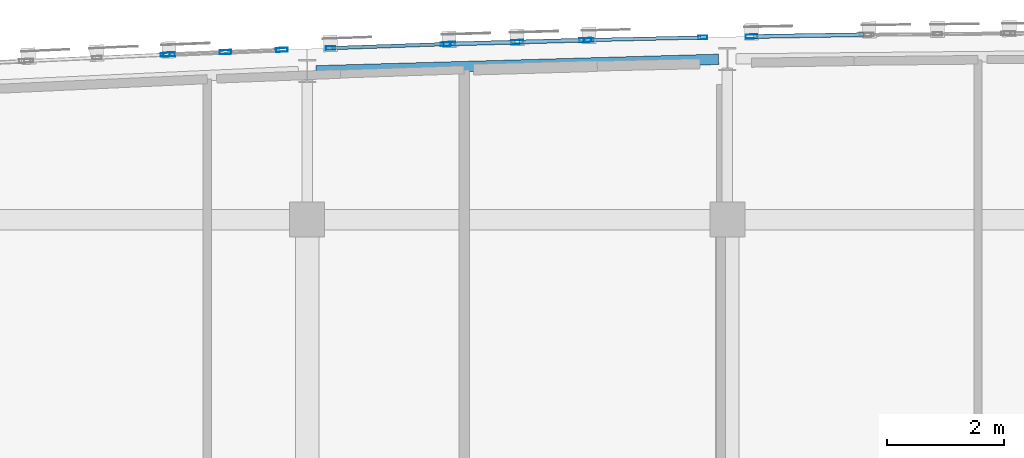
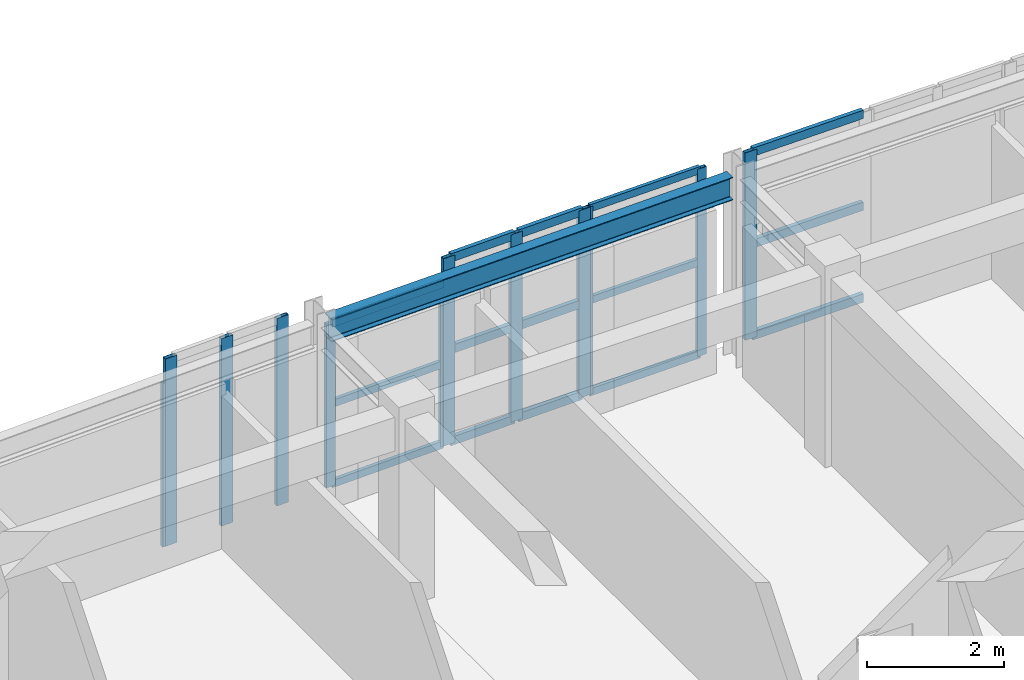
# One storey, part 15 of 48: 27 members, 1 beam, 6 elements without a shape of their own.
"""IFC4 building model written with IfcOpenShell, lengths in metres."""

from ifc_helpers import new_model, si_unit, direction, frame, origin, origin_2d, place, context, subcontext, project, spatial, hollow_rectangle, i_section, extrude, material, layer, layer_set, material_profile, profile_set, type_object, element, aggregate, save


model = new_model("IFC4")

# Units and contexts
model_context = context("Model", 3, precision=1e-05, world=origin(), true_north=direction((0.0, 1.0)))
body_context = subcontext(model_context, "Body", "Model", "MODEL_VIEW")
ifc_project = project(units=[si_unit("LENGTHUNIT", "METRE"), si_unit("AREAUNIT", "SQUARE_METRE"), si_unit("VOLUMEUNIT", "CUBIC_METRE"), si_unit("PLANEANGLEUNIT", "RADIAN"), si_unit("MASSUNIT", "GRAM", prefix="KILO")], contexts=[model_context])

# Site, building, storey
site_placement = place(None, origin())
site = spatial("IfcSite", under=ifc_project, at=site_placement, CompositionType="ELEMENT")
building_placement = place(site_placement, origin())
building = spatial("IfcBuilding", under=site, at=building_placement, Name="Carrowvane Square Congress Hotel", CompositionType="ELEMENT")
storey_placement = place(building_placement, frame((0.0, 0.0, 26.39990234375)))
storey = spatial("IfcBuildingStorey", under=building, at=storey_placement, Name="L06", CompositionType="ELEMENT", Elevation=26.39990234375)

# Beam
ifc_material_1 = material(Name="Steel S355", Category="steel")
ifc_material_profile_1 = material_profile(ifc_material_1, i_section(OverallWidth=0.1787109375, OverallDepth=0.409423828125, WebThickness=0.0087890625, FlangeThickness=0.014404296875, FilletRadius=0.01025390625, at=origin_2d()), Name="UKB 406x178x67")
ifc_profile_set_1 = profile_set([ifc_material_profile_1], Name="Steel S355")
beam_type = type_object("IfcBeamType", Name="BM-ST-UKB406", PredefinedType="BEAM", material=ifc_profile_set_1)
beam_placement = place(storey_placement, frame((83.75, 115.9482421875, 3.1455078125), z_axis=(0.999591595899, 0.028576938382, 0.0), x_axis=(-0.028576938382, 0.999591595899, 0.0)))
element("IfcBeam", 1, at=beam_placement, inside=storey, type_object=beam_type, Name="L07 curved north spandrel", PredefinedType="BEAM", context=body_context, shape_type="SweptSolid", body=[
    extrude(i_section(OverallWidth=0.1787109375, OverallDepth=0.409423828125, WebThickness=0.0087890625, FlangeThickness=0.014404296875, FilletRadius=0.01025390625, at=origin_2d()), origin(), (0.0, 0.0, 1.0), 6.903076171875),
])

# Curtain wall, member
ifc_material_2 = material(Name="Anodised aluminium", Category="aluminium")
ifc_layer_1 = layer(ifc_material_2, 0.23388671875)
ifc_layer_set_1 = layer_set([ifc_layer_1], Name="Anodised aluminium")
curtain_wall_type_1 = type_object("IfcCurtainWallType", Name="CW-SYS-7", PredefinedType="NOTDEFINED", material=ifc_layer_set_1)
curtain_wall_1_placement = place(storey_placement, origin())
curtain_wall_1 = element("IfcCurtainWall", 2, at=curtain_wall_1_placement, inside=storey, type_object=curtain_wall_type_1, Name="L06 unitised curtain wall 374", PredefinedType="NOTDEFINED")
ifc_material_3 = material(Name="Anodised aluminium", Category="aluminium")
ifc_material_profile_2 = material_profile(ifc_material_3, hollow_rectangle(XDim=0.06005859375, YDim=0.159912109375, WallThickness=0.00390625, at=origin_2d()), Name="CW-ML 60x160x4")
ifc_profile_set_2 = profile_set([ifc_material_profile_2], Name="Anodised aluminium")
member_type_1 = type_object("IfcMemberType", Name="CW-MUL-1", PredefinedType="MULLION", material=ifc_profile_set_2)
member_1_placement = place(storey_placement, frame((81.170166015625, 116.226318359375, 0.0), z_axis=(0.0, 0.0, 1.0), x_axis=(-0.045411059449, 0.998968385726, 0.0)))
member_1 = element("IfcMember", 3, at=member_1_placement, type_object=member_type_1, Name="CW-7 mullion 3", PredefinedType="MULLION", context=body_context, shape_type="SweptSolid", body=[
    extrude(hollow_rectangle(XDim=0.06005859375, YDim=0.159912109375, WallThickness=0.00390625, at=origin_2d()), origin(), (0.0, 0.0, 1.0), 2.92578125),
])
aggregate(curtain_wall_1, [member_1])

# Curtain wall, members
ifc_material_4 = material(Name="Anodised aluminium", Category="aluminium")
ifc_layer_2 = layer(ifc_material_4, 0.162109375)
ifc_layer_set_2 = layer_set([ifc_layer_2], Name="Anodised aluminium")
curtain_wall_type_2 = type_object("IfcCurtainWallType", Name="CW-SYS-1", PredefinedType="NOTDEFINED", material=ifc_layer_set_2)
curtain_wall_2_placement = place(storey_placement, origin())
curtain_wall_2 = element("IfcCurtainWall", 4, at=curtain_wall_2_placement, inside=storey, type_object=curtain_wall_type_2, Name="L06 unitised curtain wall 376", PredefinedType="NOTDEFINED")
member_2_placement = place(storey_placement, frame((84.00048828125, 116.337890625, 0.0), z_axis=(0.0, 0.0, 1.0), x_axis=(-0.034526729036, 0.999403774749, 0.0)))
member_2 = element("IfcMember", 5, at=member_2_placement, type_object=member_type_1, Name="CW-1 mullion 1", PredefinedType="MULLION", context=body_context, shape_type="SweptSolid", body=[
    extrude(hollow_rectangle(XDim=0.06005859375, YDim=0.159912109375, WallThickness=0.00390625, at=origin_2d()), origin(), (0.0, 0.0, 1.0), 2.92578125),
])
member_3_placement = place(storey_placement, frame((85.969970703125, 116.406005859375, 0.0), z_axis=(0.0, 0.0, 1.0), x_axis=(-0.034526729036, 0.999403774749, 0.0)))
member_3 = element("IfcMember", 6, at=member_3_placement, type_object=member_type_1, Name="CW-1 mullion 2", PredefinedType="MULLION", context=body_context, shape_type="SweptSolid", body=[
    extrude(hollow_rectangle(XDim=0.06005859375, YDim=0.159912109375, WallThickness=0.00390625, at=origin_2d()), origin(), (0.0, 0.0, 1.0), 2.92578125),
])

ifc_material_5 = material(Name="Anodised aluminium", Category="aluminium")
ifc_layer_3 = layer(ifc_material_5, 0.18603515625)
ifc_layer_set_3 = layer_set([ifc_layer_3], Name="Anodised aluminium")
curtain_wall_type_3 = type_object("IfcCurtainWallType", Name="CW-SYS-3", PredefinedType="NOTDEFINED", material=ifc_layer_set_3)
curtain_wall_3_placement = place(storey_placement, origin())
curtain_wall_3 = element("IfcCurtainWall", 7, at=curtain_wall_3_placement, inside=storey, type_object=curtain_wall_type_3, Name="L06 unitised curtain wall 378", PredefinedType="NOTDEFINED")
member_4_placement = place(storey_placement, frame((88.429931640625, 116.476318359375, 0.0), z_axis=(0.0, 0.0, 1.0), x_axis=(-0.022517686606, 0.99974644475, 0.0)))
member_4 = element("IfcMember", 8, at=member_4_placement, type_object=member_type_1, Name="CW-3 mullion 1", PredefinedType="MULLION", context=body_context, shape_type="SweptSolid", body=[
    extrude(hollow_rectangle(XDim=0.06005859375, YDim=0.159912109375, WallThickness=0.00390625, at=origin_2d()), origin(), (0.0, 0.0, 1.0), 3.35009765625),
])
member_5_placement = place(storey_placement, frame((90.377685546875, 116.520263671875, 0.0), z_axis=(0.0, 0.0, 1.0), x_axis=(-0.022517686606, 0.99974644475, 0.0)))
member_5 = element("IfcMember", 9, at=member_5_placement, type_object=member_type_1, Name="CW-3 mullion 2", PredefinedType="MULLION", context=body_context, shape_type="SweptSolid", body=[
    extrude(hollow_rectangle(XDim=0.06005859375, YDim=0.159912109375, WallThickness=0.00390625, at=origin_2d()), origin(), (0.0, 0.0, 1.0), 3.35009765625),
])

ifc_material_6 = material(Name="Anodised aluminium", Category="aluminium")
ifc_layer_4 = layer(ifc_material_6, 0.24609375)
ifc_layer_set_4 = layer_set([ifc_layer_4], Name="Anodised aluminium")
curtain_wall_type_4 = type_object("IfcCurtainWallType", Name="CW-SYS-8", PredefinedType="NOTDEFINED", material=ifc_layer_set_4)
curtain_wall_4_placement = place(storey_placement, origin())
curtain_wall_4 = element("IfcCurtainWall", 10, at=curtain_wall_4_placement, inside=storey, type_object=curtain_wall_type_4, Name="L06 unitised curtain wall 375", PredefinedType="NOTDEFINED")
ifc_material_7 = material(Name="Anodised aluminium", Category="aluminium")
ifc_material_profile_3 = material_profile(ifc_material_7, hollow_rectangle(XDim=0.070068359375, YDim=0.199951171875, WallThickness=0.0048828125, at=origin_2d()), Name="CW-ML 70x200x5")
ifc_profile_set_3 = profile_set([ifc_material_profile_3], Name="Anodised aluminium")
member_type_2 = type_object("IfcMemberType", Name="CW-MUL-2", PredefinedType="MULLION", material=ifc_profile_set_3)
member_6_placement = place(storey_placement, frame((81.23486328125, 116.22900390625, 0.0), z_axis=(0.0, 0.0, 1.0), x_axis=(-0.040135742379, 0.999194236464, 0.0)))
member_6 = element("IfcMember", 11, at=member_6_placement, type_object=member_type_2, Name="CW-8 mullion 1", PredefinedType="MULLION", context=body_context, shape_type="SweptSolid", body=[
    extrude(hollow_rectangle(XDim=0.070068359375, YDim=0.199951171875, WallThickness=0.0048828125, at=origin_2d()), origin(), (0.0, 0.0, 1.0), 3.35009765625),
])
member_7_placement = place(storey_placement, frame((82.200439453125, 116.267822265625, 0.0), z_axis=(0.0, 0.0, 1.0), x_axis=(-0.040135742379, 0.999194236464, 0.0)))
member_7 = element("IfcMember", 12, at=member_7_placement, type_object=member_type_2, Name="CW-8 mullion 2", PredefinedType="MULLION", context=body_context, shape_type="SweptSolid", body=[
    extrude(hollow_rectangle(XDim=0.070068359375, YDim=0.199951171875, WallThickness=0.0048828125, at=origin_2d()), origin(), (0.0, 0.0, 1.0), 3.35009765625),
])
member_8_placement = place(storey_placement, frame((83.166015625, 116.306640625, 0.0), z_axis=(0.0, 0.0, 1.0), x_axis=(-0.040135742379, 0.999194236464, 0.0)))
member_8 = element("IfcMember", 13, at=member_8_placement, type_object=member_type_2, Name="CW-8 mullion 3", PredefinedType="MULLION", context=body_context, shape_type="SweptSolid", body=[
    extrude(hollow_rectangle(XDim=0.070068359375, YDim=0.199951171875, WallThickness=0.0048828125, at=origin_2d()), origin(), (0.0, 0.0, 1.0), 3.35009765625),
])
aggregate(curtain_wall_4, [member_6, member_7, member_8])

ifc_material_8 = material(Name="Anodised aluminium", Category="aluminium")
ifc_layer_5 = layer(ifc_material_8, 0.174072265625)
ifc_layer_set_5 = layer_set([ifc_layer_5], Name="Anodised aluminium")
curtain_wall_type_5 = type_object("IfcCurtainWallType", Name="CW-SYS-2", PredefinedType="NOTDEFINED", material=ifc_layer_set_5)
curtain_wall_5_placement = place(storey_placement, origin())
curtain_wall_5 = element("IfcCurtainWall", 14, at=curtain_wall_5_placement, inside=storey, type_object=curtain_wall_type_5, Name="L06 unitised curtain wall 377", PredefinedType="NOTDEFINED")
member_9_placement = place(storey_placement, frame((86.034912109375, 116.407958984375, 0.0), z_axis=(0.0, 0.0, 1.0), x_axis=(-0.028638010501, 0.999589848065, 0.0)))
member_9 = element("IfcMember", 15, at=member_9_placement, type_object=member_type_2, Name="CW-2 mullion 1", PredefinedType="MULLION", context=body_context, shape_type="SweptSolid", body=[
    extrude(hollow_rectangle(XDim=0.070068359375, YDim=0.199951171875, WallThickness=0.0048828125, at=origin_2d()), origin(), (0.0, 0.0, 1.0), 3.35009765625),
])
member_10_placement = place(storey_placement, frame((87.199951171875, 116.44140625, 0.0), z_axis=(0.0, 0.0, 1.0), x_axis=(-0.028638010501, 0.999589848065, 0.0)))
member_10 = element("IfcMember", 16, at=member_10_placement, type_object=member_type_2, Name="CW-2 mullion 2", PredefinedType="MULLION", context=body_context, shape_type="SweptSolid", body=[
    extrude(hollow_rectangle(XDim=0.070068359375, YDim=0.199951171875, WallThickness=0.0048828125, at=origin_2d()), origin(), (0.0, 0.0, 1.0), 3.35009765625),
])
member_11_placement = place(storey_placement, frame((88.364990234375, 116.474609375, 0.0), z_axis=(0.0, 0.0, 1.0), x_axis=(-0.028638010501, 0.999589848065, 0.0)))
member_11 = element("IfcMember", 17, at=member_11_placement, type_object=member_type_2, Name="CW-2 mullion 3", PredefinedType="MULLION", context=body_context, shape_type="SweptSolid", body=[
    extrude(hollow_rectangle(XDim=0.070068359375, YDim=0.199951171875, WallThickness=0.0048828125, at=origin_2d()), origin(), (0.0, 0.0, 1.0), 3.35009765625),
])

# Curtain wall, member
ifc_material_9 = material(Name="Anodised aluminium", Category="aluminium")
ifc_layer_6 = layer(ifc_material_9, 0.197998046875)
ifc_layer_set_6 = layer_set([ifc_layer_6], Name="Anodised aluminium")
curtain_wall_type_6 = type_object("IfcCurtainWallType", Name="CW-SYS-4", PredefinedType="NOTDEFINED", material=ifc_layer_set_6)
curtain_wall_6_placement = place(storey_placement, origin())
curtain_wall_6 = element("IfcCurtainWall", 18, at=curtain_wall_6_placement, inside=storey, type_object=curtain_wall_type_6, Name="L06 unitised curtain wall 379", PredefinedType="NOTDEFINED")
member_12_placement = place(storey_placement, frame((91.212646484375, 116.536376953125, 0.0), z_axis=(0.0, 0.0, 1.0), x_axis=(-0.016215981364, 0.99986851233, 0.0)))
member_12 = element("IfcMember", 19, at=member_12_placement, type_object=member_type_2, Name="CW-4 mullion 1", PredefinedType="MULLION", context=body_context, shape_type="SweptSolid", body=[
    extrude(hollow_rectangle(XDim=0.070068359375, YDim=0.199951171875, WallThickness=0.0048828125, at=origin_2d()), origin(), (0.0, 0.0, 1.0), 3.35009765625),
])

# Member
ifc_material_10 = material(Name="Anodised aluminium", Category="aluminium")
ifc_material_profile_4 = material_profile(ifc_material_10, hollow_rectangle(XDim=0.06005859375, YDim=0.1298828125, WallThickness=0.00390625, at=origin_2d()), Name="CW-TR 60x130x4")
ifc_profile_set_4 = profile_set([ifc_material_profile_4], Name="Anodised aluminium")
member_type_3 = type_object("IfcMemberType", Name="CW-TRN-1", PredefinedType="USERDEFINED", material=ifc_profile_set_4)
member_13_placement = place(storey_placement, frame((84.030517578125, 116.3388671875, 0.030029296875), z_axis=(0.999404632698, 0.034501886054, 0.0), x_axis=(-0.034501886054, 0.999404632698, 0.0)))
member_13 = element("IfcMember", 20, at=member_13_placement, type_object=member_type_3, Name="CW-1 transom 1.1", ObjectType="TRANSOM", PredefinedType="USERDEFINED", context=body_context, shape_type="SweptSolid", body=[
    extrude(hollow_rectangle(XDim=0.06005859375, YDim=0.1298828125, WallThickness=0.00390625, at=origin_2d()), origin(), (0.0, 0.0, 1.0), 1.91064453125),
])

member_14_placement = place(storey_placement, frame((84.030517578125, 116.3388671875, 1.462890625), z_axis=(0.999404632698, 0.034501886054, 0.0), x_axis=(-0.034501886054, 0.999404632698, 0.0)))
member_14 = element("IfcMember", 21, at=member_14_placement, type_object=member_type_3, Name="CW-1 transom 1.2", ObjectType="TRANSOM", PredefinedType="USERDEFINED", context=body_context, shape_type="SweptSolid", body=[
    extrude(hollow_rectangle(XDim=0.06005859375, YDim=0.1298828125, WallThickness=0.00390625, at=origin_2d()), origin(), (0.0, 0.0, 1.0), 1.91064453125),
])

member_15_placement = place(storey_placement, frame((84.030517578125, 116.3388671875, 2.895751953125), z_axis=(0.999404632698, 0.034501886054, 0.0), x_axis=(-0.034501886054, 0.999404632698, 0.0)))
member_15 = element("IfcMember", 22, at=member_15_placement, type_object=member_type_3, Name="CW-1 transom 1.3", ObjectType="TRANSOM", PredefinedType="USERDEFINED", context=body_context, shape_type="SweptSolid", body=[
    extrude(hollow_rectangle(XDim=0.06005859375, YDim=0.1298828125, WallThickness=0.00390625, at=origin_2d()), origin(), (0.0, 0.0, 1.0), 1.91064453125),
])

aggregate(curtain_wall_2, [member_2, member_3, member_13, member_14, member_15])

member_16_placement = place(storey_placement, frame((88.4599609375, 116.47705078125, 0.030029296875), z_axis=(0.999746883827, 0.022498183883, 0.0), x_axis=(-0.022498183883, 0.999746883827, 0.0)))
member_16 = element("IfcMember", 23, at=member_16_placement, type_object=member_type_3, Name="CW-3 transom 1.1", ObjectType="TRANSOM", PredefinedType="USERDEFINED", context=body_context, shape_type="SweptSolid", body=[
    extrude(hollow_rectangle(XDim=0.06005859375, YDim=0.1298828125, WallThickness=0.00390625, at=origin_2d()), origin(), (0.0, 0.0, 1.0), 1.88818359375),
])

member_17_placement = place(storey_placement, frame((88.4599609375, 116.47705078125, 1.675048828125), z_axis=(0.999746883827, 0.022498183883, 0.0), x_axis=(-0.022498183883, 0.999746883827, 0.0)))
member_17 = element("IfcMember", 24, at=member_17_placement, type_object=member_type_3, Name="CW-3 transom 1.2", ObjectType="TRANSOM", PredefinedType="USERDEFINED", context=body_context, shape_type="SweptSolid", body=[
    extrude(hollow_rectangle(XDim=0.06005859375, YDim=0.1298828125, WallThickness=0.00390625, at=origin_2d()), origin(), (0.0, 0.0, 1.0), 1.88818359375),
])

member_18_placement = place(storey_placement, frame((88.4599609375, 116.47705078125, 3.320068359375), z_axis=(0.999746883827, 0.022498183883, 0.0), x_axis=(-0.022498183883, 0.999746883827, 0.0)))
member_18 = element("IfcMember", 25, at=member_18_placement, type_object=member_type_3, Name="CW-3 transom 1.3", ObjectType="TRANSOM", PredefinedType="USERDEFINED", context=body_context, shape_type="SweptSolid", body=[
    extrude(hollow_rectangle(XDim=0.06005859375, YDim=0.1298828125, WallThickness=0.00390625, at=origin_2d()), origin(), (0.0, 0.0, 1.0), 1.88818359375),
])

aggregate(curtain_wall_3, [member_4, member_5, member_16, member_17, member_18])

ifc_material_11 = material(Name="Anodised aluminium", Category="aluminium")
ifc_material_profile_5 = material_profile(ifc_material_11, hollow_rectangle(XDim=0.070068359375, YDim=0.14990234375, WallThickness=0.0048828125, at=origin_2d()), Name="CW-TR 70x150x5")
ifc_profile_set_5 = profile_set([ifc_material_profile_5], Name="Anodised aluminium")
member_type_4 = type_object("IfcMemberType", Name="CW-TRN-2", PredefinedType="USERDEFINED", material=ifc_profile_set_5)
member_19_placement = place(storey_placement, frame((86.070068359375, 116.408935546875, 0.03515625), z_axis=(0.999586614567, 0.02875065179, 0.0), x_axis=(-0.02875065179, 0.999586614567, 0.0)))
member_19 = element("IfcMember", 26, at=member_19_placement, type_object=member_type_4, Name="CW-2 transom 1.1", ObjectType="TRANSOM", PredefinedType="USERDEFINED", context=body_context, shape_type="SweptSolid", body=[
    extrude(hollow_rectangle(XDim=0.070068359375, YDim=0.14990234375, WallThickness=0.0048828125, at=origin_2d()), origin(), (0.0, 0.0, 1.0), 1.095458984375),
])

member_20_placement = place(storey_placement, frame((86.070068359375, 116.408935546875, 1.675048828125), z_axis=(0.999586614567, 0.02875065179, 0.0), x_axis=(-0.02875065179, 0.999586614567, 0.0)))
member_20 = element("IfcMember", 27, at=member_20_placement, type_object=member_type_4, Name="CW-2 transom 1.2", ObjectType="TRANSOM", PredefinedType="USERDEFINED", context=body_context, shape_type="SweptSolid", body=[
    extrude(hollow_rectangle(XDim=0.070068359375, YDim=0.14990234375, WallThickness=0.0048828125, at=origin_2d()), origin(), (0.0, 0.0, 1.0), 1.095458984375),
])

member_21_placement = place(storey_placement, frame((86.070068359375, 116.408935546875, 3.315185546875), z_axis=(0.999586614567, 0.02875065179, 0.0), x_axis=(-0.02875065179, 0.999586614567, 0.0)))
member_21 = element("IfcMember", 28, at=member_21_placement, type_object=member_type_4, Name="CW-2 transom 1.3", ObjectType="TRANSOM", PredefinedType="USERDEFINED", context=body_context, shape_type="SweptSolid", body=[
    extrude(hollow_rectangle(XDim=0.070068359375, YDim=0.14990234375, WallThickness=0.0048828125, at=origin_2d()), origin(), (0.0, 0.0, 1.0), 1.095458984375),
])

member_22_placement = place(storey_placement, frame((87.235107421875, 116.4423828125, 0.03515625), z_axis=(0.999592994905, 0.028527960613, 0.0), x_axis=(-0.028527960613, 0.999592994905, 0.0)))
member_22 = element("IfcMember", 29, at=member_22_placement, type_object=member_type_4, Name="CW-2 transom 2.1", ObjectType="TRANSOM", PredefinedType="USERDEFINED", context=body_context, shape_type="SweptSolid", body=[
    extrude(hollow_rectangle(XDim=0.070068359375, YDim=0.14990234375, WallThickness=0.0048828125, at=origin_2d()), origin(), (0.0, 0.0, 1.0), 1.095458984375),
])

member_23_placement = place(storey_placement, frame((87.235107421875, 116.4423828125, 1.675048828125), z_axis=(0.999592994905, 0.028527960613, 0.0), x_axis=(-0.028527960613, 0.999592994905, 0.0)))
member_23 = element("IfcMember", 30, at=member_23_placement, type_object=member_type_4, Name="CW-2 transom 2.2", ObjectType="TRANSOM", PredefinedType="USERDEFINED", context=body_context, shape_type="SweptSolid", body=[
    extrude(hollow_rectangle(XDim=0.070068359375, YDim=0.14990234375, WallThickness=0.0048828125, at=origin_2d()), origin(), (0.0, 0.0, 1.0), 1.095458984375),
])

member_24_placement = place(storey_placement, frame((87.235107421875, 116.4423828125, 3.315185546875), z_axis=(0.999592994905, 0.028527960613, 0.0), x_axis=(-0.028527960613, 0.999592994905, 0.0)))
member_24 = element("IfcMember", 31, at=member_24_placement, type_object=member_type_4, Name="CW-2 transom 2.3", ObjectType="TRANSOM", PredefinedType="USERDEFINED", context=body_context, shape_type="SweptSolid", body=[
    extrude(hollow_rectangle(XDim=0.070068359375, YDim=0.14990234375, WallThickness=0.0048828125, at=origin_2d()), origin(), (0.0, 0.0, 1.0), 1.095458984375),
])

aggregate(curtain_wall_5, [member_9, member_10, member_11, member_19, member_20, member_21, member_22, member_23, member_24])

member_25_placement = place(storey_placement, frame((91.24755859375, 116.537109375, 0.03515625), z_axis=(0.999868599908, 0.016210580414, 0.0), x_axis=(-0.016210580414, 0.999868599908, 0.0)))
member_25 = element("IfcMember", 32, at=member_25_placement, type_object=member_type_4, Name="CW-4 transom 1.1", ObjectType="TRANSOM", PredefinedType="USERDEFINED", context=body_context, shape_type="SweptSolid", body=[
    extrude(hollow_rectangle(XDim=0.070068359375, YDim=0.14990234375, WallThickness=0.0048828125, at=origin_2d()), origin(), (0.0, 0.0, 1.0), 1.882568359375),
])

member_26_placement = place(storey_placement, frame((91.24755859375, 116.537109375, 1.675048828125), z_axis=(0.999868599908, 0.016210580414, 0.0), x_axis=(-0.016210580414, 0.999868599908, 0.0)))
member_26 = element("IfcMember", 33, at=member_26_placement, type_object=member_type_4, Name="CW-4 transom 1.2", ObjectType="TRANSOM", PredefinedType="USERDEFINED", context=body_context, shape_type="SweptSolid", body=[
    extrude(hollow_rectangle(XDim=0.070068359375, YDim=0.14990234375, WallThickness=0.0048828125, at=origin_2d()), origin(), (0.0, 0.0, 1.0), 1.882568359375),
])

member_27_placement = place(storey_placement, frame((91.24755859375, 116.537109375, 3.315185546875), z_axis=(0.999868599908, 0.016210580414, 0.0), x_axis=(-0.016210580414, 0.999868599908, 0.0)))
member_27 = element("IfcMember", 34, at=member_27_placement, type_object=member_type_4, Name="CW-4 transom 1.3", ObjectType="TRANSOM", PredefinedType="USERDEFINED", context=body_context, shape_type="SweptSolid", body=[
    extrude(hollow_rectangle(XDim=0.070068359375, YDim=0.14990234375, WallThickness=0.0048828125, at=origin_2d()), origin(), (0.0, 0.0, 1.0), 1.882568359375),
])

aggregate(curtain_wall_6, [member_12, member_25, member_26, member_27])

save(model, "model.ifc")
